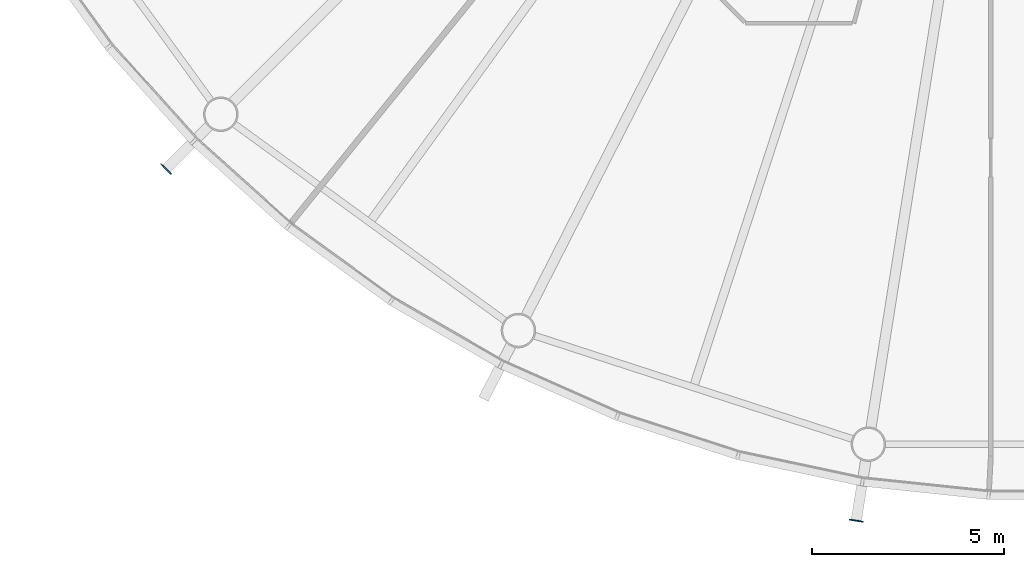
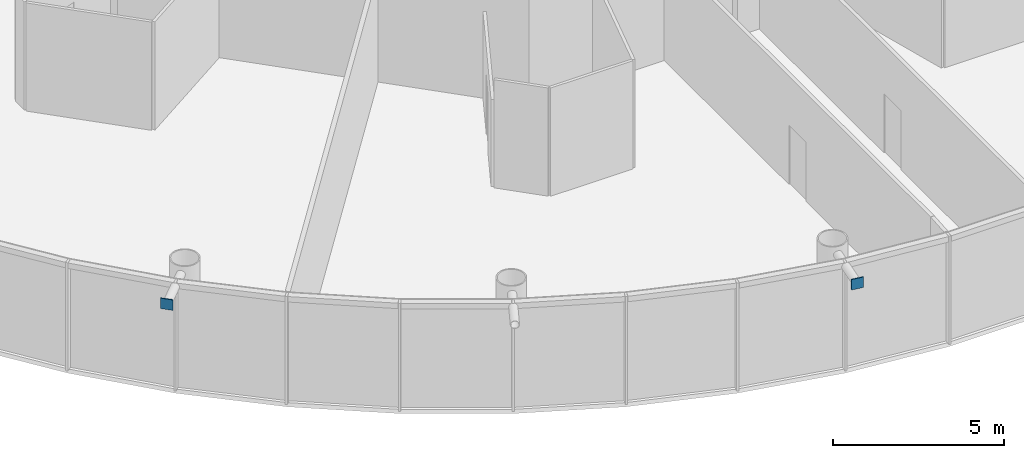
# One storey, part 7 of 19: 2 discrete accessories.
"""IFC4 building model written with IfcOpenShell, lengths in metres."""

from ifc_helpers import new_model, si_unit, direction, frame, origin, origin_2d, place, context, subcontext, project, spatial, rectangle, extrude, material, element, save


model = new_model("IFC4")

# Units and contexts
model_context = context("Model", 3, precision=1e-05, world=origin(), true_north=direction((0.0, 1.0)))
body_context = subcontext(model_context, "Body", "Model", "MODEL_VIEW")
ifc_project = project(units=[si_unit("LENGTHUNIT", "METRE"), si_unit("AREAUNIT", "SQUARE_METRE"), si_unit("VOLUMEUNIT", "CUBIC_METRE"), si_unit("PLANEANGLEUNIT", "RADIAN"), si_unit("MASSUNIT", "GRAM", prefix="KILO")], contexts=[model_context])

# Site, building, storey
site_placement = place(None, origin())
site = spatial("IfcSite", under=ifc_project, at=site_placement, CompositionType="ELEMENT")
building_placement = place(site_placement, origin())
building = spatial("IfcBuilding", under=site, at=building_placement, Name="Entoto Ring Tower", CompositionType="ELEMENT")
storey_placement = place(building_placement, frame((0.0, 0.0, 368.0)))
storey = spatial("IfcBuildingStorey", under=building, at=storey_placement, Name="L85", CompositionType="ELEMENT", Elevation=368.0)

# Discrete accessories
ifc_material = material(Name="Steel S355", Category="steel")
for number, where, z_axis, x_axis, name in (
    (1, (66.937744140625, 56.937744140625, 3.52685546875), (0.0, 0.0, 1.0), (-0.707106781187, -0.707106781187, 0.0), "Node strut end plate DS2 ring 27 12"),
    (2, (84.89794921875, 47.78662109375, 3.52685546875), (0.0, 0.0, 1.0), (-0.15643446504, -0.987688340595, 0.0), "Node strut end plate DS2 ring 27 14"),
):
    element("IfcDiscreteAccessory", number, at=place(storey_placement, frame(where, z_axis=z_axis, x_axis=x_axis)), inside=storey, material=ifc_material, Name=name, PredefinedType="BRACKET", context=body_context, shape_type="SweptSolid", body=[
        extrude(rectangle(XDim=0.030029296875, YDim=0.373046875, at=origin_2d()), origin(), (0.0, 0.0, 1.0), 0.373046875),
    ])

save(model, "model.ifc")
